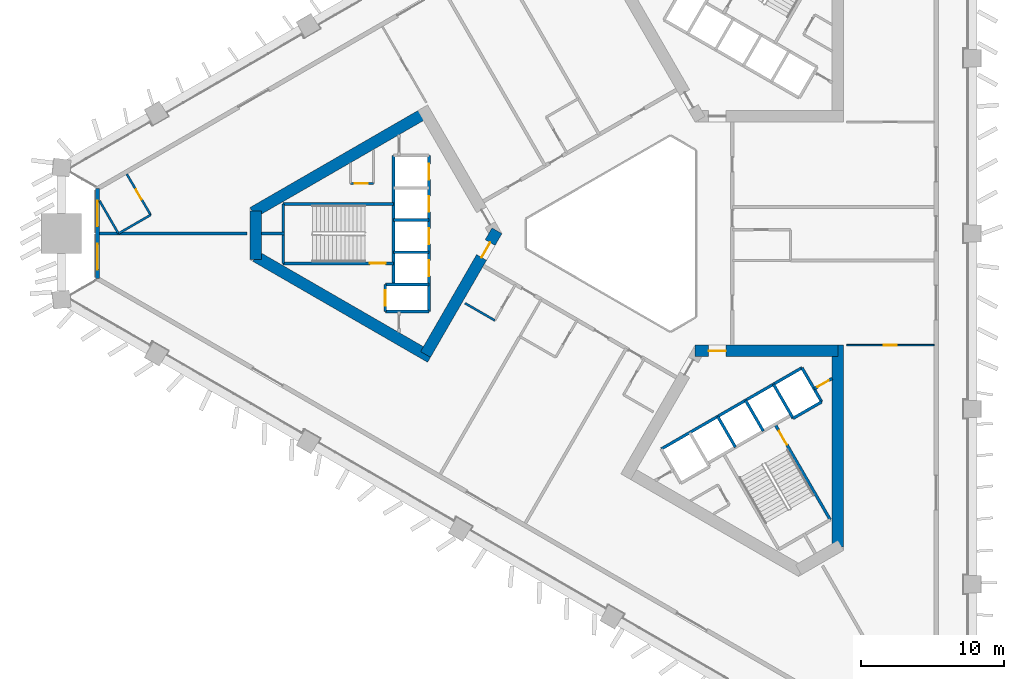
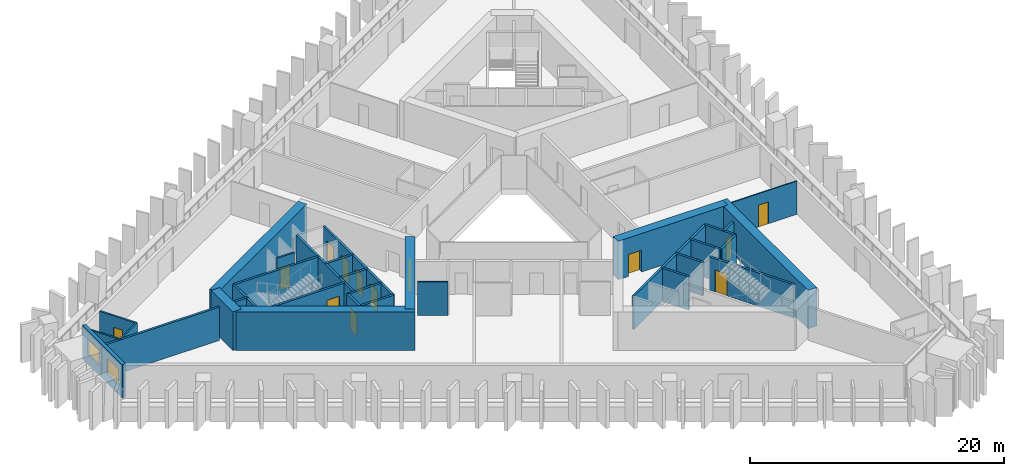
# One storey, part 3 of 10: 33 walls, 13 doors, 2 windows, 15 openings.
"""IFC4 building model written with IfcOpenShell, lengths in metres."""

from ifc_helpers import new_model, si_unit, direction, frame, frame_2d, origin, place, context, subcontext, project, spatial, rectangle, extrude, material, layer, layer_set, type_object, element, fill, save


model = new_model("IFC4")

# Units and contexts
model_context = context("Model", 3, precision=1e-05, world=origin(), true_north=direction((0.0, 1.0)))
body_context = subcontext(model_context, "Body", "Model", "MODEL_VIEW")
ifc_project = project(units=[si_unit("LENGTHUNIT", "METRE"), si_unit("AREAUNIT", "SQUARE_METRE"), si_unit("VOLUMEUNIT", "CUBIC_METRE"), si_unit("PLANEANGLEUNIT", "RADIAN"), si_unit("MASSUNIT", "GRAM", prefix="KILO")], contexts=[model_context])

# Site, building, storey
site_placement = place(None, origin())
site = spatial("IfcSite", under=ifc_project, at=site_placement, CompositionType="ELEMENT")
building_placement = place(site_placement, origin())
building = spatial("IfcBuilding", under=site, at=building_placement, Name="Jabali Bay Hotel Tower and Convention Centre", CompositionType="ELEMENT")
storey_placement = place(building_placement, frame((0.0, 0.0, 37.39990234375)))
storey = spatial("IfcBuildingStorey", under=building, at=storey_placement, Name="L07", CompositionType="ELEMENT", Elevation=37.39990234375)

# Wall
ifc_material_1 = material(Name="Concrete C40", Category="concrete")
ifc_layer_1 = layer(ifc_material_1, 0.199951171875)
ifc_layer_set_1 = layer_set([ifc_layer_1], Name="Concrete C40")
wall_type_1 = type_object("IfcWallType", Name="Core partition wall 200", PredefinedType="PARTITIONING", material=ifc_layer_set_1)
wall_1_placement = place(storey_placement, frame((50.820068359375, 80.0, 0.0), z_axis=(0.0, 0.0, 1.0), x_axis=(-1.0, 0.0, 0.0)))
element("IfcWall", 1, at=wall_1_placement, inside=storey, type_object=wall_type_1, Name="Core wall 0.5 L07", PredefinedType="PARTITIONING", context=body_context, shape_type="SweptSolid", body=[
    extrude(rectangle(XDim=1.623046875, YDim=0.199951171875, at=frame_2d((0.8115234375, 0.0))), origin(), (0.0, 0.0, 1.0), 3.2001953125),
])

# Wall, opening, door
wall_2_placement = place(storey_placement, frame((87.814697265625, 69.154296875, 0.0), z_axis=(0.0, 0.0, 1.0), x_axis=(0.866054810376, 0.49994906283, 0.0)))
wall_2 = element("IfcWall", 2, at=wall_2_placement, inside=storey, type_object=wall_type_1, Name="Core wall 2.12 L07", PredefinedType="PARTITIONING", context=body_context, shape_type="SweptSolid", body=[
    extrude(rectangle(XDim=1.461181640625, YDim=0.199951171875, at=frame_2d((0.73046875, 0.0))), origin(), (0.0, 0.0, 1.0), 3.2001953125),
])
opening_1_placement = place(wall_2_placement, frame((0.280517578125, 0.0, 0.0)))
opening_1 = element("IfcOpeningElement", 3, at=opening_1_placement, cuts=wall_2, Name="Opening D248", PredefinedType="OPENING", context=body_context, shape_type="SweptSolid", body=[
    extrude(rectangle(XDim=0.89990234375, YDim=2.10009765625, at=frame_2d((0.449951171875, 1.050048828125))), frame((0.0, 0.1103515625, 0.0), z_axis=(0.0, -1.0, 0.0), x_axis=(1.0, 0.0, 0.0)), (0.0, 0.0, 1.0), 0.220947265625),
])
ifc_material_2 = material(Name="Fire-rated steel door", Category="steel")
door_type_1 = type_object("IfcDoorType", Name="Vestibule fire door 900 x 2100", OperationType="NOTDEFINED", PredefinedType="NOTDEFINED", material=ifc_material_2)
door_1_placement = place(opening_1_placement, origin())
door_1 = element("IfcDoor", 4, at=door_1_placement, inside=storey, type_object=door_type_1, Name="Vestibule fire door D248", OperationType="SINGLE_SWING_LEFT", OverallHeight=2.10009765625, OverallWidth=0.89990234375, PredefinedType="NOTDEFINED", context=body_context, shape_type="SweptSolid", body=[
    extrude(rectangle(XDim=0.89990234375, YDim=2.10009765625, at=frame_2d((0.449951171875, 1.050048828125))), frame((0.0, 0.02490234375, 0.0), z_axis=(0.0, -1.0, 0.0), x_axis=(1.0, 0.0, 0.0)), (0.0, 0.0, 1.0), 0.050048828125),
])
fill(opening_1, door_1)

ifc_material_3 = material(Name="Fire-rated board partition")
ifc_layer_2 = layer(ifc_material_3, 0.14990234375)
ifc_layer_set_2 = layer_set([ifc_layer_2], Name="Fire-rated board partition")
wall_type_2 = type_object("IfcWallType", Name="Core room partition 150", PredefinedType="PARTITIONING", material=ifc_layer_set_2)
wall_3_placement = place(storey_placement, frame((57.02001953125, 83.5, 0.0), z_axis=(0.0, 0.0, 1.0), x_axis=(-1.0, 0.0, 0.0)))
wall_3 = element("IfcWall", 5, at=wall_3_placement, inside=storey, type_object=wall_type_2, Name="Core wall 0.1 L07", PredefinedType="PARTITIONING", context=body_context, shape_type="SweptSolid", body=[
    extrude(rectangle(XDim=1.60009765625, YDim=0.14990234375, at=frame_2d((0.800048828125, 0.0))), origin(), (0.0, 0.0, 1.0), 3.2001953125),
])
opening_2_placement = place(wall_3_placement, frame((0.387451171875, 0.0, 0.0)))
opening_2 = element("IfcOpeningElement", 6, at=opening_2_placement, cuts=wall_3, Name="Opening D239", PredefinedType="OPENING", context=body_context, shape_type="SweptSolid", body=[
    extrude(rectangle(XDim=0.89990234375, YDim=2.10009765625, at=frame_2d((0.449951171875, 1.050048828125))), frame((0.0, 0.08544921875, 0.0), z_axis=(0.0, -1.0, 0.0), x_axis=(1.0, 0.0, 0.0)), (0.0, 0.0, 1.0), 0.1708984375),
])
door_type_2 = type_object("IfcDoorType", Name="Core room door 900 x 2100", OperationType="NOTDEFINED", PredefinedType="NOTDEFINED", material=ifc_material_2)
door_2_placement = place(opening_2_placement, origin())
door_2 = element("IfcDoor", 7, at=door_2_placement, inside=storey, type_object=door_type_2, Name="Core room door D239", OperationType="SINGLE_SWING_LEFT", OverallHeight=2.10009765625, OverallWidth=0.89990234375, PredefinedType="NOTDEFINED", context=body_context, shape_type="SweptSolid", body=[
    extrude(rectangle(XDim=0.89990234375, YDim=2.10009765625, at=frame_2d((0.449951171875, 1.050048828125))), frame((0.0, 0.02490234375, 0.0), z_axis=(0.0, -1.0, 0.0), x_axis=(1.0, 0.0, 0.0)), (0.0, 0.0, 1.0), 0.050048828125),
])
fill(opening_2, door_2)

# Walls
ifc_layer_3 = layer(ifc_material_1, 0.199951171875)
ifc_layer_set_3 = layer_set([ifc_layer_3], Name="Concrete C40")
wall_type_3 = type_object("IfcWallType", Name="Core stair wall 200", PredefinedType="SOLIDWALL", material=ifc_layer_set_3)
wall_4_placement = place(storey_placement, frame((58.419921875, 82.074951171875, 0.0), z_axis=(0.0, 0.0, 1.0), x_axis=(-1.0, 0.0, 0.0)))
element("IfcWall", 8, at=wall_4_placement, inside=storey, type_object=wall_type_3, Name="Core wall 0.3 L07", PredefinedType="SOLIDWALL", context=body_context, shape_type="SweptSolid", body=[
    extrude(rectangle(XDim=7.699951171875, YDim=0.199951171875, at=frame_2d((3.85009765625, 0.0))), origin(), (0.0, 0.0, 1.0), 3.2001953125),
])
for number, where, z_axis, x_axis, name in (
    (9, (60.89990234375, 80.949951171875, 0.0), (0.0, 0.0, 1.0), (-1.0, 0.0, 0.0), "Core wall 0.4 L07"),
    (10, (60.89990234375, 78.699951171875, 0.0), (0.0, 0.0, 1.0), (-1.0, 0.0, 0.0), "Core wall 0.6 L07"),
):
    element("IfcWall", number, at=place(storey_placement, frame(where, z_axis=z_axis, x_axis=x_axis)), inside=storey, type_object=wall_type_3, Name=name, PredefinedType="SOLIDWALL", context=body_context, shape_type="SweptSolid", body=[
        extrude(rectangle(XDim=2.47998046875, YDim=0.199951171875, at=frame_2d((1.239990234375, 0.0))), origin(), (0.0, 0.0, 1.0), 3.2001953125),
    ])

# Wall, opening, door
wall_5_placement = place(storey_placement, frame((58.419921875, 77.925048828125, 0.0), z_axis=(0.0, 0.0, 1.0), x_axis=(-1.0, 0.0, 0.0)))
wall_5 = element("IfcWall", 11, at=wall_5_placement, inside=storey, type_object=wall_type_3, Name="Core wall 0.7 L07", PredefinedType="SOLIDWALL", context=body_context, shape_type="SweptSolid", body=[
    extrude(rectangle(XDim=7.699951171875, YDim=0.199951171875, at=frame_2d((3.85009765625, 0.0))), origin(), (0.0, 0.0, 1.0), 3.2001953125),
])
opening_3_placement = place(wall_5_placement, frame((0.550048828125, 0.0, 0.0)))
opening_3 = element("IfcOpeningElement", 12, at=opening_3_placement, cuts=wall_5, Name="Opening D238", PredefinedType="OPENING", context=body_context, shape_type="SweptSolid", body=[
    extrude(rectangle(XDim=1.10009765625, YDim=2.10009765625, at=frame_2d((0.550048828125, 1.050048828125))), frame((0.0, 0.1103515625, 0.0), z_axis=(0.0, -1.0, 0.0), x_axis=(1.0, 0.0, 0.0)), (0.0, 0.0, 1.0), 0.220947265625),
])
door_type_3 = type_object("IfcDoorType", Name="Stair fire door 1100 x 2100", OperationType="NOTDEFINED", PredefinedType="NOTDEFINED", material=ifc_material_2)
door_3_placement = place(opening_3_placement, origin())
door_3 = element("IfcDoor", 13, at=door_3_placement, inside=storey, type_object=door_type_3, Name="Stair fire door D238", OperationType="SINGLE_SWING_RIGHT", OverallHeight=2.10009765625, OverallWidth=1.10009765625, PredefinedType="NOTDEFINED", context=body_context, shape_type="SweptSolid", body=[
    extrude(rectangle(XDim=1.10009765625, YDim=2.10009765625, at=frame_2d((0.550048828125, 1.050048828125))), frame((0.0, 0.02490234375, 0.0), z_axis=(0.0, -1.0, 0.0), x_axis=(1.0, 0.0, 0.0)), (0.0, 0.0, 1.0), 0.050048828125),
])
fill(opening_3, door_3)

# Walls
for number, where, z_axis, x_axis, name in (
    (14, (60.89990234375, 76.449951171875, 0.0), (0.0, 0.0, 1.0), (-1.0, 0.0, 0.0), "Core wall 0.8 L07"),
    (15, (60.89990234375, 74.550048828125, 0.0), (0.0, 0.0, 1.0), (-1.0, 0.0, 0.0), "Core wall 0.9 L07"),
):
    element("IfcWall", number, at=place(storey_placement, frame(where, z_axis=z_axis, x_axis=x_axis)), inside=storey, type_object=wall_type_3, Name=name, PredefinedType="SOLIDWALL", context=body_context, shape_type="SweptSolid", body=[
        extrude(rectangle(XDim=3.0498046875, YDim=0.199951171875, at=frame_2d((1.52490234375, 0.0))), origin(), (0.0, 0.0, 1.0), 3.2001953125),
    ])

# Wall, openings, doors
wall_6_placement = place(storey_placement, frame((60.89990234375, 85.449951171875, 0.0), z_axis=(0.0, 0.0, 1.0), x_axis=(0.0, -1.0, 0.0)))
wall_6 = element("IfcWall", 16, at=wall_6_placement, inside=storey, type_object=wall_type_3, Name="Core wall 0.10 L07", PredefinedType="SOLIDWALL", context=body_context, shape_type="SweptSolid", body=[
    extrude(rectangle(XDim=10.89990234375, YDim=0.199951171875, at=frame_2d((5.449951171875, 0.0))), origin(), (0.0, 0.0, 1.0), 3.2001953125),
])
opening_4_placement = place(wall_6_placement, frame((0.574951171875, 0.0, 0.0)))
opening_4 = element("IfcOpeningElement", 17, at=opening_4_placement, cuts=wall_6, Name="Opening LD1-L07", PredefinedType="OPENING", context=body_context, shape_type="SweptSolid", body=[
    extrude(rectangle(XDim=1.10009765625, YDim=2.10009765625, at=frame_2d((0.550048828125, 1.050048828125))), frame((0.0, 0.1103515625, 0.0), z_axis=(0.0, -1.0, 0.0), x_axis=(1.0, 0.0, 0.0)), (0.0, 0.0, 1.0), 0.220947265625),
])
opening_5_placement = place(wall_6_placement, frame((2.824951171875, 0.0, 0.0)))
opening_5 = element("IfcOpeningElement", 18, at=opening_5_placement, cuts=wall_6, Name="Opening LD2-L07", PredefinedType="OPENING", context=body_context, shape_type="SweptSolid", body=[
    extrude(rectangle(XDim=1.10009765625, YDim=2.10009765625, at=frame_2d((0.550048828125, 1.050048828125))), frame((0.0, 0.1103515625, 0.0), z_axis=(0.0, -1.0, 0.0), x_axis=(1.0, 0.0, 0.0)), (0.0, 0.0, 1.0), 0.220947265625),
])
opening_6_placement = place(wall_6_placement, frame((5.074951171875, 0.0, 0.0)))
opening_6 = element("IfcOpeningElement", 19, at=opening_6_placement, cuts=wall_6, Name="Opening LD3-L07", PredefinedType="OPENING", context=body_context, shape_type="SweptSolid", body=[
    extrude(rectangle(XDim=1.10009765625, YDim=2.10009765625, at=frame_2d((0.550048828125, 1.050048828125))), frame((0.0, 0.1103515625, 0.0), z_axis=(0.0, -1.0, 0.0), x_axis=(1.0, 0.0, 0.0)), (0.0, 0.0, 1.0), 0.220947265625),
])
opening_7_placement = place(wall_6_placement, frame((7.324951171875, 0.0, 0.0)))
opening_7 = element("IfcOpeningElement", 20, at=opening_7_placement, cuts=wall_6, Name="Opening LD4-L07", PredefinedType="OPENING", context=body_context, shape_type="SweptSolid", body=[
    extrude(rectangle(XDim=1.10009765625, YDim=2.10009765625, at=frame_2d((0.550048828125, 1.050048828125))), frame((0.0, 0.1103515625, 0.0), z_axis=(0.0, -1.0, 0.0), x_axis=(1.0, 0.0, 0.0)), (0.0, 0.0, 1.0), 0.220947265625),
])
ifc_material_4 = material(Name="Stainless steel landing door", Category="steel")
door_type_4 = type_object("IfcDoorType", Name="Landing door 1100 x 2100", OperationType="NOTDEFINED", PredefinedType="NOTDEFINED", material=ifc_material_4)
door_4_placement = place(opening_4_placement, origin())
door_4 = element("IfcDoor", 21, at=door_4_placement, inside=storey, type_object=door_type_4, Name="Landing doors LD1-L07", OperationType="SLIDING_TO_RIGHT", OverallHeight=2.10009765625, OverallWidth=1.10009765625, PredefinedType="NOTDEFINED", context=body_context, shape_type="SweptSolid", body=[
    extrude(rectangle(XDim=1.10009765625, YDim=2.10009765625, at=frame_2d((0.550048828125, 1.050048828125))), frame((0.0, 0.02490234375, 0.0), z_axis=(0.0, -1.0, 0.0), x_axis=(1.0, 0.0, 0.0)), (0.0, 0.0, 1.0), 0.050048828125),
])
fill(opening_4, door_4)
door_5_placement = place(opening_5_placement, origin())
door_5 = element("IfcDoor", 22, at=door_5_placement, inside=storey, type_object=door_type_4, Name="Landing doors LD2-L07", OperationType="SLIDING_TO_LEFT", OverallHeight=2.10009765625, OverallWidth=1.10009765625, PredefinedType="NOTDEFINED", context=body_context, shape_type="SweptSolid", body=[
    extrude(rectangle(XDim=1.10009765625, YDim=2.10009765625, at=frame_2d((0.550048828125, 1.050048828125))), frame((0.0, 0.02490234375, 0.0), z_axis=(0.0, -1.0, 0.0), x_axis=(1.0, 0.0, 0.0)), (0.0, 0.0, 1.0), 0.050048828125),
])
fill(opening_5, door_5)
door_6_placement = place(opening_6_placement, origin())
door_6 = element("IfcDoor", 23, at=door_6_placement, inside=storey, type_object=door_type_4, Name="Landing doors LD3-L07", OperationType="SLIDING_TO_RIGHT", OverallHeight=2.10009765625, OverallWidth=1.10009765625, PredefinedType="NOTDEFINED", context=body_context, shape_type="SweptSolid", body=[
    extrude(rectangle(XDim=1.10009765625, YDim=2.10009765625, at=frame_2d((0.550048828125, 1.050048828125))), frame((0.0, 0.02490234375, 0.0), z_axis=(0.0, -1.0, 0.0), x_axis=(1.0, 0.0, 0.0)), (0.0, 0.0, 1.0), 0.050048828125),
])
fill(opening_6, door_6)
door_7_placement = place(opening_7_placement, origin())
door_7 = element("IfcDoor", 24, at=door_7_placement, inside=storey, type_object=door_type_4, Name="Landing doors LD4-L07", OperationType="SLIDING_TO_LEFT", OverallHeight=2.10009765625, OverallWidth=1.10009765625, PredefinedType="NOTDEFINED", context=body_context, shape_type="SweptSolid", body=[
    extrude(rectangle(XDim=1.10009765625, YDim=2.10009765625, at=frame_2d((0.550048828125, 1.050048828125))), frame((0.0, 0.02490234375, 0.0), z_axis=(0.0, -1.0, 0.0), x_axis=(1.0, 0.0, 0.0)), (0.0, 0.0, 1.0), 0.050048828125),
])
fill(opening_7, door_7)

# Wall
wall_7_placement = place(storey_placement, frame((58.419921875, 85.449951171875, 0.0), z_axis=(0.0, 0.0, 1.0), x_axis=(0.0, -1.0, 0.0)))
element("IfcWall", 25, at=wall_7_placement, inside=storey, type_object=wall_type_3, Name="Core wall 0.13 L07", PredefinedType="SOLIDWALL", context=body_context, shape_type="SweptSolid", body=[
    extrude(rectangle(XDim=9.0, YDim=0.199951171875, at=frame_2d((4.5, 0.0))), origin(), (0.0, 0.0, 1.0), 3.2001953125),
])

# Wall, opening, door
wall_8_placement = place(storey_placement, frame((57.85009765625, 76.449951171875, 0.0), z_axis=(0.0, 0.0, 1.0), x_axis=(0.0, -1.0, 0.0)))
wall_8 = element("IfcWall", 26, at=wall_8_placement, inside=storey, type_object=wall_type_3, Name="Core wall 0.14 L07", PredefinedType="SOLIDWALL", context=body_context, shape_type="SweptSolid", body=[
    extrude(rectangle(XDim=1.89990234375, YDim=0.199951171875, at=frame_2d((0.949951171875, 0.0))), origin(), (0.0, 0.0, 1.0), 3.2001953125),
])
opening_8_placement = place(wall_8_placement, frame((0.39990234375, 0.0, 0.0)))
opening_8 = element("IfcOpeningElement", 27, at=opening_8_placement, cuts=wall_8, Name="Opening LD5-L07", PredefinedType="OPENING", context=body_context, shape_type="SweptSolid", body=[
    extrude(rectangle(XDim=1.10009765625, YDim=2.10009765625, at=frame_2d((0.550048828125, 1.050048828125))), frame((0.0, 0.1103515625, 0.0), z_axis=(0.0, -1.0, 0.0), x_axis=(1.0, 0.0, 0.0)), (0.0, 0.0, 1.0), 0.220947265625),
])
door_8_placement = place(opening_8_placement, origin())
door_8 = element("IfcDoor", 28, at=door_8_placement, inside=storey, type_object=door_type_4, Name="Landing doors LD5-L07", OperationType="SLIDING_TO_RIGHT", OverallHeight=2.10009765625, OverallWidth=1.10009765625, PredefinedType="NOTDEFINED", context=body_context, shape_type="SweptSolid", body=[
    extrude(rectangle(XDim=1.10009765625, YDim=2.10009765625, at=frame_2d((0.550048828125, 1.050048828125))), frame((0.0, 0.02490234375, 0.0), z_axis=(0.0, -1.0, 0.0), x_axis=(1.0, 0.0, 0.0)), (0.0, 0.0, 1.0), 0.050048828125),
])
fill(opening_8, door_8)

# Walls
wall_9_placement = place(storey_placement, frame((50.719970703125, 82.074951171875, 0.0), z_axis=(0.0, 0.0, 1.0), x_axis=(0.0, -1.0, 0.0)))
element("IfcWall", 29, at=wall_9_placement, inside=storey, type_object=wall_type_3, Name="Core wall 0.17 L07", PredefinedType="SOLIDWALL", context=body_context, shape_type="SweptSolid", body=[
    extrude(rectangle(XDim=4.14990234375, YDim=0.199951171875, at=frame_2d((2.074951171875, 0.0))), origin(), (0.0, 0.0, 1.0), 3.2001953125),
])
for number, where, z_axis, x_axis, name in (
    (30, (81.07568359375, 67.2265625, 0.0), (0.0, 0.0, 1.0), (0.50000366821, -0.866023285932, 0.0), "Core wall 2.4 L07"),
    (31, (83.024169921875, 68.3515625, 0.0), (0.0, 0.0, 1.0), (0.50000366821, -0.866023285932, 0.0), "Core wall 2.6 L07"),
):
    element("IfcWall", number, at=place(storey_placement, frame(where, z_axis=z_axis, x_axis=x_axis)), inside=storey, type_object=wall_type_3, Name=name, PredefinedType="SOLIDWALL", context=body_context, shape_type="SweptSolid", body=[
        extrude(rectangle(XDim=2.47998046875, YDim=0.199951171875, at=frame_2d((1.239990234375, 0.0))), origin(), (0.0, 0.0, 1.0), 3.2001953125),
    ])

# Wall, opening, door
wall_10_placement = place(storey_placement, frame((85.0869140625, 66.6787109375, 0.0), z_axis=(0.0, 0.0, 1.0), x_axis=(0.500019787375, -0.866013979237, 0.0)))
wall_10 = element("IfcWall", 32, at=wall_10_placement, inside=storey, type_object=wall_type_3, Name="Core wall 2.7 L07", PredefinedType="SOLIDWALL", context=body_context, shape_type="SweptSolid", body=[
    extrude(rectangle(XDim=7.699951171875, YDim=0.199951171875, at=frame_2d((3.85009765625, 0.0))), origin(), (0.0, 0.0, 1.0), 3.2001953125),
])
opening_9_placement = place(wall_10_placement, frame((0.550048828125, 0.0, 0.0)))
opening_9 = element("IfcOpeningElement", 33, at=opening_9_placement, cuts=wall_10, Name="Opening D250", PredefinedType="OPENING", context=body_context, shape_type="SweptSolid", body=[
    extrude(rectangle(XDim=1.10009765625, YDim=2.10009765625, at=frame_2d((0.550048828125, 1.050048828125))), frame((0.0, 0.1103515625, 0.0), z_axis=(0.0, -1.0, 0.0), x_axis=(1.0, 0.0, 0.0)), (0.0, 0.0, 1.0), 0.220947265625),
])
door_9_placement = place(opening_9_placement, origin())
door_9 = element("IfcDoor", 34, at=door_9_placement, inside=storey, type_object=door_type_3, Name="Stair fire door D250", OperationType="SINGLE_SWING_RIGHT", OverallHeight=2.10009765625, OverallWidth=1.10009765625, PredefinedType="NOTDEFINED", context=body_context, shape_type="SweptSolid", body=[
    extrude(rectangle(XDim=1.10009765625, YDim=2.10009765625, at=frame_2d((0.550048828125, 1.050048828125))), frame((0.0, 0.02490234375, 0.0), z_axis=(0.0, -1.0, 0.0), x_axis=(1.0, 0.0, 0.0)), (0.0, 0.0, 1.0), 0.050048828125),
])
fill(opening_9, door_9)

# Walls
for number, where, z_axis, x_axis, name in (
    (35, (84.972900390625, 69.4765625, 0.0), (0.0, 0.0, 1.0), (0.499996545922, -0.866027397988, 0.0), "Core wall 2.8 L07"),
    (36, (86.964599609375, 70.62646484375, 0.0), (0.0, 0.0, 1.0), (0.499996545922, -0.866027397988, 0.0), "Core wall 2.9 L07"),
):
    element("IfcWall", number, at=place(storey_placement, frame(where, z_axis=z_axis, x_axis=x_axis)), inside=storey, type_object=wall_type_3, Name=name, PredefinedType="SOLIDWALL", context=body_context, shape_type="SweptSolid", body=[
        extrude(rectangle(XDim=2.75, YDim=0.199951171875, at=frame_2d((1.375, 0.0))), origin(), (0.0, 0.0, 1.0), 3.2001953125),
    ])
wall_11_placement = place(storey_placement, frame((77.13525390625, 64.95166015625, 0.0), z_axis=(0.0, 0.0, 1.0), x_axis=(0.866031916153, 0.499988720078, 0.0)))
element("IfcWall", 37, at=wall_11_placement, inside=storey, type_object=wall_type_3, Name="Core wall 2.10 L07", PredefinedType="SOLIDWALL", context=body_context, shape_type="SweptSolid", body=[
    extrude(rectangle(XDim=11.349853515625, YDim=0.199951171875, at=frame_2d((5.6748046875, 0.0))), origin(), (0.0, 0.0, 1.0), 3.2001953125),
])
wall_12_placement = place(storey_placement, frame((86.347900390625, 67.094970703125, 0.0), z_axis=(0.0, 0.0, 1.0), x_axis=(0.86602648383, 0.499998129301, 0.0)))
element("IfcWall", 38, at=wall_12_placement, inside=storey, type_object=wall_type_3, Name="Core wall 2.15 L07", PredefinedType="SOLIDWALL", context=body_context, shape_type="SweptSolid", body=[
    extrude(rectangle(XDim=2.2998046875, YDim=0.199951171875, at=frame_2d((1.14990234375, 0.0))), origin(), (0.0, 0.0, 1.0), 3.2001953125),
])
ifc_material_5 = material(Name="Concrete C60", Category="concrete")
ifc_layer_4 = layer(ifc_material_5, 0.800048828125)
ifc_layer_set_4 = layer_set([ifc_layer_4], Name="Concrete C60")
wall_type_4 = type_object("IfcWallType", Name="Core wall 800", PredefinedType="SHEAR", material=ifc_layer_set_4)
wall_13_placement = place(storey_placement, frame((60.66357421875, 88.44287109375, 0.0), z_axis=(0.0, 0.0, 1.0), x_axis=(-0.866029478545, -0.499992942241, 0.0)))
element("IfcWall", 39, at=wall_13_placement, inside=storey, type_object=wall_type_4, Name="Core wall 1.2 L07", PredefinedType="SHEAR", context=body_context, shape_type="SweptSolid", body=[
    extrude(rectangle(XDim=13.933349609375, YDim=0.800048828125, at=frame_2d((6.966796875, 0.0))), origin(), (0.0, 0.0, 1.0), 3.7001953125),
])
wall_14_placement = place(storey_placement, frame((48.796875, 81.591796875, 0.0), z_axis=(0.0, 0.0, 1.0), x_axis=(0.0, -1.0, 0.0)))
element("IfcWall", 40, at=wall_14_placement, inside=storey, type_object=wall_type_4, Name="Core wall 1.3 L07", PredefinedType="SHEAR", context=body_context, shape_type="SweptSolid", body=[
    extrude(rectangle(XDim=3.41455078125, YDim=0.800048828125, at=frame_2d((1.707275390625, 0.0))), origin(), (0.0, 0.0, 1.0), 3.7001953125),
])
wall_15_placement = place(storey_placement, frame((48.796875, 78.408203125, 0.0), z_axis=(0.0, 0.0, 1.0), x_axis=(0.866032504327, -0.499987701298, 0.0)))
element("IfcWall", 41, at=wall_15_placement, inside=storey, type_object=wall_type_4, Name="Core wall 1.4 L07", PredefinedType="SHEAR", context=body_context, shape_type="SweptSolid", body=[
    extrude(rectangle(XDim=14.102294921875, YDim=0.800048828125, at=frame_2d((7.05126953125, 0.0))), origin(), (0.0, 0.0, 1.0), 3.7001953125),
])

# Wall, opening, door
wall_16_placement = place(storey_placement, frame((60.66357421875, 71.55712890625, 0.0), z_axis=(0.0, 0.0, 1.0), x_axis=(0.50000409368, 0.866023040284, 0.0)))
wall_16 = element("IfcWall", 42, at=wall_16_placement, inside=storey, type_object=wall_type_4, Name="Core wall 1.5 L07", PredefinedType="SHEAR", context=body_context, shape_type="SweptSolid", body=[
    extrude(rectangle(XDim=9.97998046875, YDim=0.800048828125, at=frame_2d((4.989990234375, 0.0))), origin(), (0.0, 0.0, 1.0), 3.7001953125),
])
opening_10_placement = place(wall_16_placement, frame((7.830078125, 0.0, 0.0)))
opening_10 = element("IfcOpeningElement", 43, at=opening_10_placement, cuts=wall_16, Name="Opening D235", PredefinedType="OPENING", context=body_context, shape_type="SweptSolid", body=[
    extrude(rectangle(XDim=1.199951171875, YDim=2.10009765625, at=frame_2d((0.60009765625, 1.050048828125))), frame((0.0, 0.41064453125, 0.0), z_axis=(0.0, -1.0, 0.0), x_axis=(1.0, 0.0, 0.0)), (0.0, 0.0, 1.0), 0.821044921875),
])
door_type_5 = type_object("IfcDoorType", Name="Corridor end fire door 1200 x 2100", OperationType="NOTDEFINED", PredefinedType="NOTDEFINED", material=ifc_material_2)
door_10_placement = place(opening_10_placement, origin())
door_10 = element("IfcDoor", 44, at=door_10_placement, inside=storey, type_object=door_type_5, Name="Corridor end fire door D235", OperationType="SINGLE_SWING_LEFT", OverallHeight=2.10009765625, OverallWidth=1.199951171875, PredefinedType="NOTDEFINED", context=body_context, shape_type="SweptSolid", body=[
    extrude(rectangle(XDim=1.199951171875, YDim=2.10009765625, at=frame_2d((0.60009765625, 1.050048828125))), frame((0.0, 0.02490234375, 0.0), z_axis=(0.0, -1.0, 0.0), x_axis=(1.0, 0.0, 0.0)), (0.0, 0.0, 1.0), 0.050048828125),
])
fill(opening_10, door_10)

# Wall
wall_17_placement = place(storey_placement, frame((89.47998046875, 58.103271484375, 0.0), z_axis=(0.0, 0.0, 1.0), x_axis=(0.0, 1.0, 0.0)))
element("IfcWall", 45, at=wall_17_placement, inside=storey, type_object=wall_type_4, Name="Core wall 3.4 L07", PredefinedType="SHEAR", context=body_context, shape_type="SweptSolid", body=[
    extrude(rectangle(XDim=14.1025390625, YDim=0.800048828125, at=frame_2d((7.05126953125, 0.0))), origin(), (0.0, 0.0, 1.0), 3.7001953125),
])

# Wall, opening, door
wall_18_placement = place(storey_placement, frame((89.47998046875, 71.8056640625, 0.0), z_axis=(0.0, 0.0, 1.0), x_axis=(-1.0, 0.0, 0.0)))
wall_18 = element("IfcWall", 46, at=wall_18_placement, inside=storey, type_object=wall_type_4, Name="Core wall 3.5 L07", PredefinedType="SHEAR", context=body_context, shape_type="SweptSolid", body=[
    extrude(rectangle(XDim=9.97998046875, YDim=0.800048828125, at=frame_2d((4.989990234375, 0.0))), origin(), (0.0, 0.0, 1.0), 3.7001953125),
])
opening_11_placement = place(wall_18_placement, frame((7.830078125, 0.0, 0.0)))
opening_11 = element("IfcOpeningElement", 47, at=opening_11_placement, cuts=wall_18, Name="Opening D247", PredefinedType="OPENING", context=body_context, shape_type="SweptSolid", body=[
    extrude(rectangle(XDim=1.199951171875, YDim=2.10009765625, at=frame_2d((0.60009765625, 1.050048828125))), frame((0.0, 0.41064453125, 0.0), z_axis=(0.0, -1.0, 0.0), x_axis=(1.0, 0.0, 0.0)), (0.0, 0.0, 1.0), 0.821044921875),
])
door_11_placement = place(opening_11_placement, origin())
door_11 = element("IfcDoor", 48, at=door_11_placement, inside=storey, type_object=door_type_5, Name="Corridor end fire door D247", OperationType="SINGLE_SWING_LEFT", OverallHeight=2.10009765625, OverallWidth=1.199951171875, PredefinedType="NOTDEFINED", context=body_context, shape_type="SweptSolid", body=[
    extrude(rectangle(XDim=1.199951171875, YDim=2.10009765625, at=frame_2d((0.60009765625, 1.050048828125))), frame((0.0, 0.02490234375, 0.0), z_axis=(0.0, -1.0, 0.0), x_axis=(1.0, 0.0, 0.0)), (0.0, 0.0, 1.0), 0.050048828125),
])
fill(opening_11, door_11)

# Wall, openings, windows
ifc_layer_5 = layer(ifc_material_1, 0.300048828125)
ifc_layer_set_5 = layer_set([ifc_layer_5], Name="Concrete C40")
wall_type_5 = type_object("IfcWallType", Name="External wall 300", PredefinedType="SOLIDWALL", material=ifc_layer_set_5)
wall_19_placement = place(storey_placement, frame((37.73974609375, 76.858642578125, 0.0), z_axis=(0.0, 0.0, 1.0), x_axis=(0.0, 1.0, 0.0)))
wall_19 = element("IfcWall", 49, at=wall_19_placement, inside=storey, type_object=wall_type_5, Name="External wall west chamfer L07", PredefinedType="SOLIDWALL", context=body_context, shape_type="SweptSolid", body=[
    extrude(rectangle(XDim=6.28271484375, YDim=0.300048828125, at=frame_2d((3.141357421875, 0.0))), origin(), (0.0, 0.0, 1.0), 3.2001953125),
])
opening_12_placement = place(wall_19_placement, frame((3.64599609375, 0.0, 0.89990234375)))
opening_12 = element("IfcOpeningElement", 50, at=opening_12_placement, cuts=wall_19, Name="Opening W1", PredefinedType="OPENING", context=body_context, shape_type="SweptSolid", body=[
    extrude(rectangle(XDim=1.800048828125, YDim=1.5, at=frame_2d((0.89990234375, 0.75))), frame((0.0, 0.16064453125, 0.0), z_axis=(0.0, -1.0, 0.0), x_axis=(1.0, 0.0, 0.0)), (0.0, 0.0, 1.0), 0.321044921875),
])
opening_13_placement = place(wall_19_placement, frame((0.6279296875, 0.0, 0.89990234375)))
opening_13 = element("IfcOpeningElement", 51, at=opening_13_placement, cuts=wall_19, Name="Opening W1", PredefinedType="OPENING", context=body_context, shape_type="SweptSolid", body=[
    extrude(rectangle(XDim=1.800048828125, YDim=1.5, at=frame_2d((0.89990234375, 0.75))), frame((0.0, 0.16064453125, 0.0), z_axis=(0.0, -1.0, 0.0), x_axis=(1.0, 0.0, 0.0)), (0.0, 0.0, 1.0), 0.321044921875),
])
ifc_material_6 = material(Name="Glass", Category="glass")
window_type = type_object("IfcWindowType", Name="Window 1800 x 1500", PartitioningType="SINGLE_PANEL", PredefinedType="WINDOW", material=ifc_material_6)
window_1_placement = place(opening_12_placement, origin())
window_1 = element("IfcWindow", 52, at=window_1_placement, inside=storey, type_object=window_type, Name="Window 706", OverallHeight=1.5, OverallWidth=1.800048828125, PartitioningType="SINGLE_PANEL", PredefinedType="WINDOW", context=body_context, shape_type="SweptSolid", body=[
    extrude(rectangle(XDim=1.800048828125, YDim=1.5, at=frame_2d((0.89990234375, 0.75))), frame((0.0, 0.030029296875, 0.0), z_axis=(0.0, -1.0, 0.0), x_axis=(1.0, 0.0, 0.0)), (0.0, 0.0, 1.0), 0.06005859375),
])
fill(opening_12, window_1)
window_2_placement = place(opening_13_placement, origin())
window_2 = element("IfcWindow", 53, at=window_2_placement, inside=storey, type_object=window_type, Name="Window 707", OverallHeight=1.5, OverallWidth=1.800048828125, PartitioningType="SINGLE_PANEL", PredefinedType="WINDOW", context=body_context, shape_type="SweptSolid", body=[
    extrude(rectangle(XDim=1.800048828125, YDim=1.5, at=frame_2d((0.89990234375, 0.75))), frame((0.0, 0.030029296875, 0.0), z_axis=(0.0, -1.0, 0.0), x_axis=(1.0, 0.0, 0.0)), (0.0, 0.0, 1.0), 0.06005859375),
])
fill(opening_13, window_2)

# Wall, opening, door
ifc_material_7 = material(Name="Plasterboard on steel stud", Category="steel")
ifc_layer_6 = layer(ifc_material_7, 0.10009765625)
ifc_layer_set_6 = layer_set([ifc_layer_6], Name="Plasterboard on steel stud")
wall_type_6 = type_object("IfcWallType", Name="Partition 100 unit", PredefinedType="PARTITIONING", material=ifc_layer_set_6)
wall_20_placement = place(storey_placement, frame((90.0791015625, 72.205810546875, 0.0), z_axis=(0.0, 0.0, 1.0), x_axis=(1.0, 0.0, 0.0)))
wall_20 = element("IfcWall", 54, at=wall_20_placement, inside=storey, type_object=wall_type_6, Name="Partition P02 L07 001", PredefinedType="PARTITIONING", context=body_context, shape_type="SweptSolid", body=[
    extrude(rectangle(XDim=6.12255859375, YDim=0.10009765625, at=frame_2d((3.061279296875, 0.0))), origin(), (0.0, 0.0, 1.0), 3.2001953125),
])
opening_14_placement = place(wall_20_placement, frame((2.611083984375, 0.0, 0.0)))
opening_14 = element("IfcOpeningElement", 55, at=opening_14_placement, cuts=wall_20, Name="Opening 0702", PredefinedType="OPENING", context=body_context, shape_type="SweptSolid", body=[
    extrude(rectangle(XDim=0.89990234375, YDim=2.10009765625, at=frame_2d((0.449951171875, 1.050048828125))), frame((0.0, 0.060546875, 0.0), z_axis=(0.0, -1.0, 0.0), x_axis=(1.0, 0.0, 0.0)), (0.0, 0.0, 1.0), 0.12109375),
])
ifc_material_8 = material(Name="Timber", Category="wood")
door_type_6 = type_object("IfcDoorType", Name="Internal door 900 x 2100", OperationType="NOTDEFINED", PredefinedType="NOTDEFINED", material=ifc_material_8)
door_12_placement = place(opening_14_placement, origin())
door_12 = element("IfcDoor", 56, at=door_12_placement, inside=storey, type_object=door_type_6, Name="Door 0702", OperationType="SINGLE_SWING_LEFT", OverallHeight=2.10009765625, OverallWidth=0.89990234375, PredefinedType="NOTDEFINED", context=body_context, shape_type="SweptSolid", body=[
    extrude(rectangle(XDim=0.89990234375, YDim=2.10009765625, at=frame_2d((0.449951171875, 1.050048828125))), frame((0.0, 0.02490234375, 0.0), z_axis=(0.0, -1.0, 0.0), x_axis=(1.0, 0.0, 0.0)), (0.0, 0.0, 1.0), 0.050048828125),
])
fill(opening_14, door_12)

ifc_layer_7 = layer(ifc_material_7, 0.14990234375)
ifc_layer_set_7 = layer_set([ifc_layer_7], Name="Plasterboard on steel stud")
wall_type_7 = type_object("IfcWallType", Name="Partition 150 wet", PredefinedType="PARTITIONING", material=ifc_layer_set_7)
wall_21_placement = place(storey_placement, frame((39.792724609375, 84.154541015625, 0.0), z_axis=(0.0, 0.0, 1.0), x_axis=(0.504988355232, -0.863126155947, 0.0)))
wall_21 = element("IfcWall", 57, at=wall_21_placement, inside=storey, type_object=wall_type_7, Name="Partition P03 L07 025", PredefinedType="PARTITIONING", context=body_context, shape_type="SweptSolid", body=[
    extrude(rectangle(XDim=3.300048828125, YDim=0.14990234375, at=frame_2d((1.64990234375, 0.0))), origin(), (0.0, 0.0, 1.0), 3.2001953125),
])
opening_15_placement = place(wall_21_placement, frame((1.25, 0.0, 0.0)))
opening_15 = element("IfcOpeningElement", 58, at=opening_15_placement, cuts=wall_21, Name="Opening 0716", PredefinedType="OPENING", context=body_context, shape_type="SweptSolid", body=[
    extrude(rectangle(XDim=0.800048828125, YDim=2.10009765625, at=frame_2d((0.39990234375, 1.050048828125))), frame((0.0, 0.08544921875, 0.0), z_axis=(0.0, -1.0, 0.0), x_axis=(1.0, 0.0, 0.0)), (0.0, 0.0, 1.0), 0.1708984375),
])
door_type_7 = type_object("IfcDoorType", Name="En-suite door 800 x 2100", OperationType="NOTDEFINED", PredefinedType="NOTDEFINED", material=ifc_material_8)
door_13_placement = place(opening_15_placement, origin())
door_13 = element("IfcDoor", 59, at=door_13_placement, inside=storey, type_object=door_type_7, Name="Door 0716", OperationType="SINGLE_SWING_RIGHT", OverallHeight=2.10009765625, OverallWidth=0.800048828125, PredefinedType="NOTDEFINED", context=body_context, shape_type="SweptSolid", body=[
    extrude(rectangle(XDim=0.800048828125, YDim=2.10009765625, at=frame_2d((0.39990234375, 1.050048828125))), frame((0.0, 0.02490234375, 0.0), z_axis=(0.0, -1.0, 0.0), x_axis=(1.0, 0.0, 0.0)), (0.0, 0.0, 1.0), 0.050048828125),
])
fill(opening_15, door_13)

# Walls
wall_22_placement = place(storey_placement, frame((41.459228515625, 81.30615234375, 0.0), z_axis=(0.0, 0.0, 1.0), x_axis=(-0.866021400173, -0.500006934395, 0.0)))
element("IfcWall", 60, at=wall_22_placement, inside=storey, type_object=wall_type_7, Name="Partition P03 L07 026", PredefinedType="PARTITIONING", context=body_context, shape_type="SweptSolid", body=[
    extrude(rectangle(XDim=2.60009765625, YDim=0.14990234375, at=frame_2d((1.300048828125, 0.0))), origin(), (0.0, 0.0, 1.0), 3.2001953125),
])
wall_23_placement = place(storey_placement, frame((39.20751953125, 80.006103515625, 0.0), z_axis=(0.0, 0.0, 1.0), x_axis=(-0.499992239852, 0.866029884062, 0.0)))
element("IfcWall", 61, at=wall_23_placement, inside=storey, type_object=wall_type_7, Name="Partition P03 L07 027", PredefinedType="PARTITIONING", context=body_context, shape_type="SweptSolid", body=[
    extrude(rectangle(XDim=2.63720703125, YDim=0.14990234375, at=frame_2d((1.318603515625, 0.0))), origin(), (0.0, 0.0, 1.0), 3.2001953125),
])
wall_24_placement = place(storey_placement, frame((65.501708984375, 73.936767578125, 0.0), z_axis=(0.0, 0.0, 1.0), x_axis=(-0.865994240961, 0.500053971709, 0.0)))
element("IfcWall", 62, at=wall_24_placement, inside=storey, type_object=wall_type_7, Name="Partition P03 L07 030", PredefinedType="PARTITIONING", context=body_context, shape_type="SweptSolid", body=[
    extrude(rectangle(XDim=2.401123046875, YDim=0.14990234375, at=frame_2d((1.20068359375, 0.0))), origin(), (0.0, 0.0, 1.0), 3.2001953125),
])
ifc_layer_8 = layer(ifc_material_7, 0.199951171875)
ifc_layer_set_8 = layer_set([ifc_layer_8], Name="Plasterboard on steel stud")
wall_type_8 = type_object("IfcWallType", Name="Partition 200 party", PredefinedType="PARTITIONING", material=ifc_layer_set_8)
wall_25_placement = place(storey_placement, frame((37.888916015625, 80.0009765625, 0.0), z_axis=(0.0, 0.0, 1.0), x_axis=(1.0, 0.0, 0.0)))
element("IfcWall", 63, at=wall_25_placement, inside=storey, type_object=wall_type_8, Name="Partition P01 L07 028", PredefinedType="PARTITIONING", context=body_context, shape_type="SweptSolid", body=[
    extrude(rectangle(XDim=10.30908203125, YDim=0.199951171875, at=frame_2d((5.154541015625, 0.0))), origin(), (0.0, 0.0, 1.0), 3.2001953125),
])

save(model, "model.ifc")
